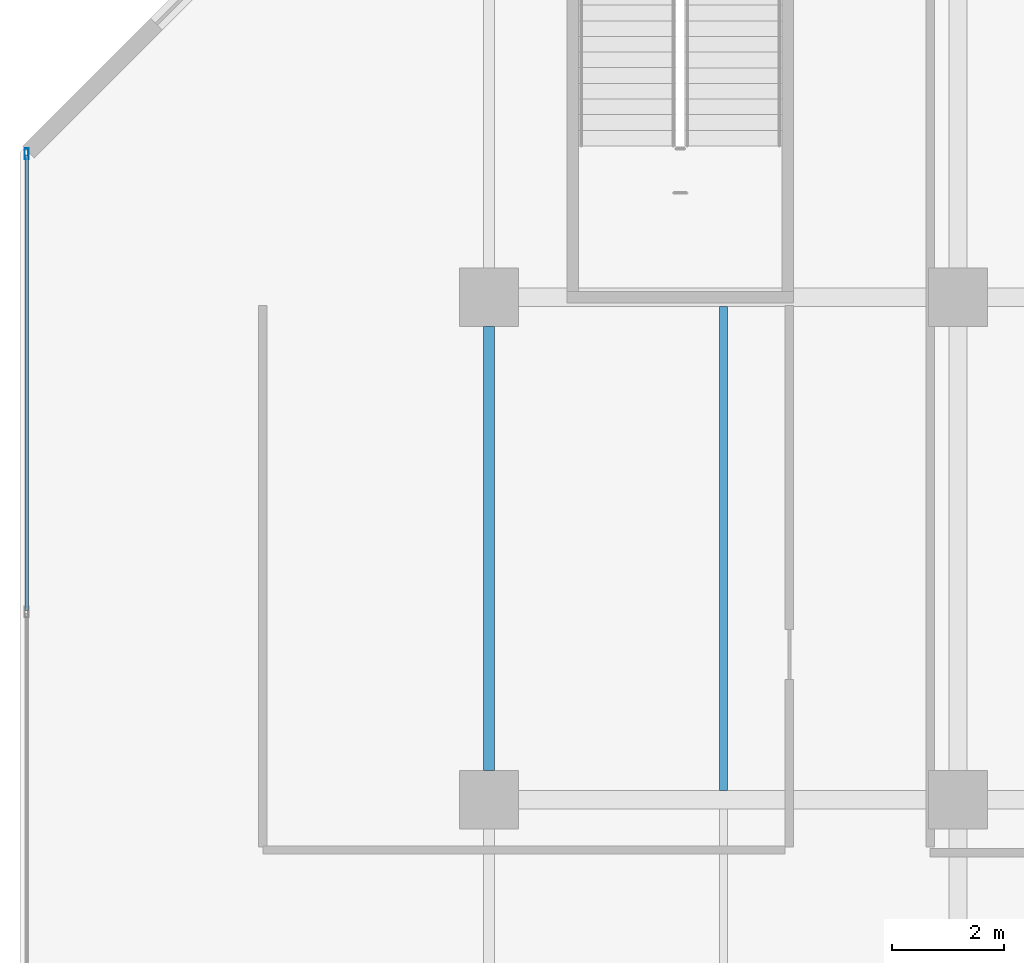
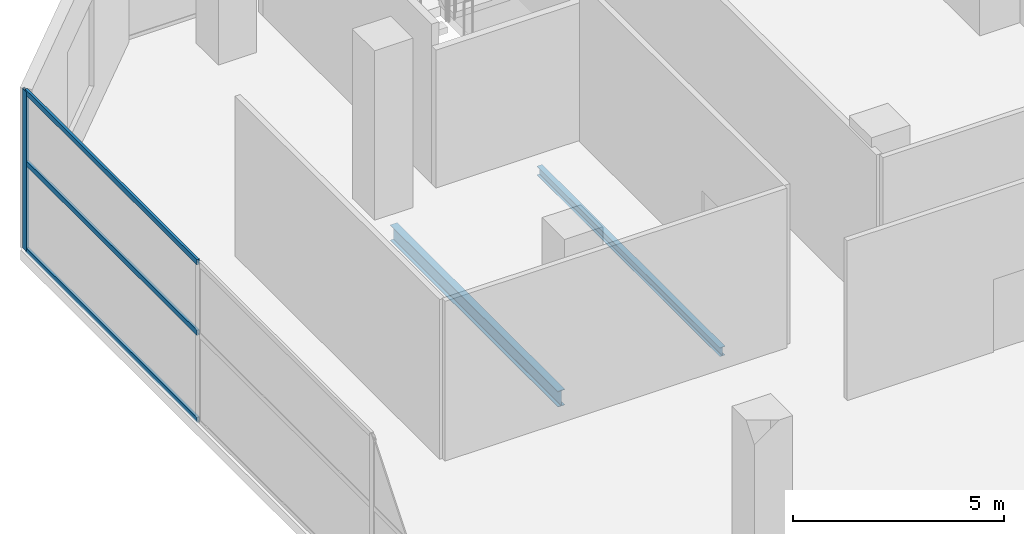
# One storey, part 18 of 39: 4 members, 2 beams, 1 element without a shape of its own.
"""IFC4 building model written with IfcOpenShell, lengths in metres."""

from ifc_helpers import new_model, si_unit, direction, frame, origin, origin_2d, place, context, subcontext, project, spatial, hollow_rectangle, i_section, extrude, material, layer, layer_set, material_profile, profile_set, type_object, element, aggregate, save


model = new_model("IFC4")

# Units and contexts
model_context = context("Model", 3, precision=1e-05, world=origin(), true_north=direction((0.0, 1.0)))
body_context = subcontext(model_context, "Body", "Model", "MODEL_VIEW")
ifc_project = project(units=[si_unit("LENGTHUNIT", "METRE"), si_unit("AREAUNIT", "SQUARE_METRE"), si_unit("VOLUMEUNIT", "CUBIC_METRE"), si_unit("PLANEANGLEUNIT", "RADIAN"), si_unit("MASSUNIT", "GRAM", prefix="KILO")], contexts=[model_context])

# Site, building, storey
site_placement = place(None, origin())
site = spatial("IfcSite", under=ifc_project, at=site_placement, CompositionType="ELEMENT")
building_placement = place(site_placement, origin())
building = spatial("IfcBuilding", under=site, at=building_placement, Name="Maruvema Waterfront Hotel and Observation Tower", CompositionType="ELEMENT")
storey_placement = place(building_placement, frame((0.0, 0.0, 16.449951171875)))
storey = spatial("IfcBuildingStorey", under=building, at=storey_placement, Name="L03", CompositionType="ELEMENT", Elevation=16.449951171875)

# Curtain wall, members
ifc_material_1 = material(Name="Anodised bronze aluminium and solar-control low-E IGU", Category="aluminium")
ifc_layer = layer(ifc_material_1, 0.159912109375, Name="Podium Waterfront Storefront Curtain Wall System CW-01")
ifc_layer_set = layer_set([ifc_layer], Name="Anodised bronze aluminium and solar-control low-E IGU")
curtain_wall_type = type_object("IfcCurtainWallType", Name="Podium Waterfront Storefront Curtain Wall System CW-01", PredefinedType="USERDEFINED", material=ifc_layer_set)
curtain_wall_placement = place(storey_placement, origin())
curtain_wall = element("IfcCurtainWall", 1, at=curtain_wall_placement, inside=storey, type_object=curtain_wall_type, Name="L03 Curtain Wall CW-L03-W", ObjectType="UNITISED CURTAIN WALL", PredefinedType="USERDEFINED")
ifc_material_2 = material(Name="Anodised architectural bronze aluminium", Category="aluminium")
ifc_material_profile_1 = material_profile(ifc_material_2, hollow_rectangle(XDim=0.070068359375, YDim=0.14990234375, WallThickness=0.00390625, at=origin_2d()), Name="ALU-T70x150")
ifc_profile_set_1 = profile_set([ifc_material_profile_1], Name="Anodised architectural bronze aluminium")
member_type_1 = type_object("IfcMemberType", Name="Curtain Wall Horizontal Transom ALU-T70x150", PredefinedType="USERDEFINED", material=ifc_profile_set_1)
member_1_placement = place(storey_placement, frame((0.1201171875, 47.5400390625, 0.030029296875), z_axis=(0.0, -1.0, 0.0), x_axis=(1.0, 0.0, 0.0)))
member_1 = element("IfcMember", 2, at=member_1_placement, type_object=member_type_1, Name="CW-01 transom 1.1", ObjectType="TRANSOM", PredefinedType="USERDEFINED", context=body_context, shape_type="SweptSolid", body=[
    extrude(hollow_rectangle(XDim=0.070068359375, YDim=0.14990234375, WallThickness=0.00390625, at=origin_2d()), origin(), (0.0, 0.0, 1.0), 8.150146484375),
])
member_2_placement = place(storey_placement, frame((0.1201171875, 47.5400390625, 2.550048828125), z_axis=(0.0, -1.0, 0.0), x_axis=(1.0, 0.0, 0.0)))
member_2 = element("IfcMember", 3, at=member_2_placement, type_object=member_type_1, Name="CW-01 transom 1.2", ObjectType="TRANSOM", PredefinedType="USERDEFINED", context=body_context, shape_type="SweptSolid", body=[
    extrude(hollow_rectangle(XDim=0.070068359375, YDim=0.14990234375, WallThickness=0.00390625, at=origin_2d()), origin(), (0.0, 0.0, 1.0), 8.150146484375),
])
member_3_placement = place(storey_placement, frame((0.1201171875, 47.5400390625, 4.590087890625), z_axis=(0.0, -1.0, 0.0), x_axis=(1.0, 0.0, 0.0)))
member_3 = element("IfcMember", 4, at=member_3_placement, type_object=member_type_1, Name="CW-01 transom 1.3", ObjectType="TRANSOM", PredefinedType="USERDEFINED", context=body_context, shape_type="SweptSolid", body=[
    extrude(hollow_rectangle(XDim=0.070068359375, YDim=0.14990234375, WallThickness=0.00390625, at=origin_2d()), origin(), (0.0, 0.0, 1.0), 8.150146484375),
])

# Beam
ifc_material_3 = material(Name="Steel ASTM A572 Grade 50", Category="steel")
ifc_material_profile_2 = material_profile(ifc_material_3, i_section(OverallWidth=0.18994140625, OverallDepth=0.45703125, WebThickness=0.009033203125, FlangeThickness=0.014404296875, FilletRadius=0.014892578125, at=origin_2d()), Name="W460x74.0")
ifc_profile_set_2 = profile_set([ifc_material_profile_2], Name="Steel ASTM A572 Grade 50")
beam_type_1 = type_object("IfcBeamType", Name="Perimeter Spandrel Beam W460x74.0", PredefinedType="SPANDREL", material=ifc_profile_set_2)
beam_1_placement = place(storey_placement, frame((8.39990234375, 36.52490234375, -0.508544921875), z_axis=(0.0, 1.0, 0.0), x_axis=(-1.0, 0.0, 0.0)))
element("IfcBeam", 5, at=beam_1_placement, inside=storey, type_object=beam_type_1, Name="L03 Floor Girder NS-05", PredefinedType="SPANDREL", context=body_context, shape_type="SweptSolid", body=[
    extrude(i_section(OverallWidth=0.18994140625, OverallDepth=0.45703125, WebThickness=0.009033203125, FlangeThickness=0.014404296875, FilletRadius=0.014892578125, at=origin_2d()), origin(), (0.0, 0.0, 1.0), 7.9501953125),
])

# Member
ifc_material_4 = material(Name="Anodised architectural bronze aluminium", Category="aluminium")
ifc_material_profile_3 = material_profile(ifc_material_4, hollow_rectangle(XDim=0.070068359375, YDim=0.18994140625, WallThickness=0.00390625, at=origin_2d()), Name="ALU-M70x190")
ifc_profile_set_3 = profile_set([ifc_material_profile_3], Name="Anodised architectural bronze aluminium")
member_type_2 = type_object("IfcMemberType", Name="Podium Storefront Heavy Mullion ALU-M70x190", PredefinedType="MULLION", material=ifc_profile_set_3)
member_4_placement = place(storey_placement, frame((0.1201171875, 47.570068359375, 0.0), z_axis=(0.0, 0.0, 1.0), x_axis=(1.0, 0.0, 0.0)))
member_4 = element("IfcMember", 6, at=member_4_placement, type_object=member_type_2, Name="CW-01 mullion 1", PredefinedType="MULLION", context=body_context, shape_type="SweptSolid", body=[
    extrude(hollow_rectangle(XDim=0.070068359375, YDim=0.18994140625, WallThickness=0.00390625, at=origin_2d()), origin(), (0.0, 0.0, 1.0), 4.6201171875),
])

aggregate(curtain_wall, [member_4, member_1, member_2, member_3])

# Beam
ifc_material_5 = material(Name="Steel ASTM A572 Grade 50", Category="steel")
ifc_material_profile_4 = material_profile(ifc_material_5, i_section(OverallWidth=0.14599609375, OverallDepth=0.258056640625, WebThickness=0.006103515625, FlangeThickness=0.009033203125, FilletRadius=0.012939453125, at=origin_2d()), Name="W250x32.7")
ifc_profile_set_4 = profile_set([ifc_material_profile_4], Name="Steel ASTM A572 Grade 50")
beam_type_2 = type_object("IfcBeamType", Name="Secondary Floor Joist W250x32.7", PredefinedType="JOIST", material=ifc_profile_set_4)
beam_2_placement = place(storey_placement, frame((12.60009765625, 36.16455078125, -0.408935546875), z_axis=(0.0, 1.0, 0.0), x_axis=(-1.0, 0.0, 0.0)))
element("IfcBeam", 7, at=beam_2_placement, inside=storey, type_object=beam_type_2, Name="L03 Secondary Floor Joist JS-04", PredefinedType="JOIST", context=body_context, shape_type="SweptSolid", body=[
    extrude(i_section(OverallWidth=0.14599609375, OverallDepth=0.258056640625, WebThickness=0.006103515625, FlangeThickness=0.009033203125, FilletRadius=0.012939453125, at=origin_2d()), origin(), (0.0, 0.0, 1.0), 8.6708984375),
])

save(model, "model.ifc")
